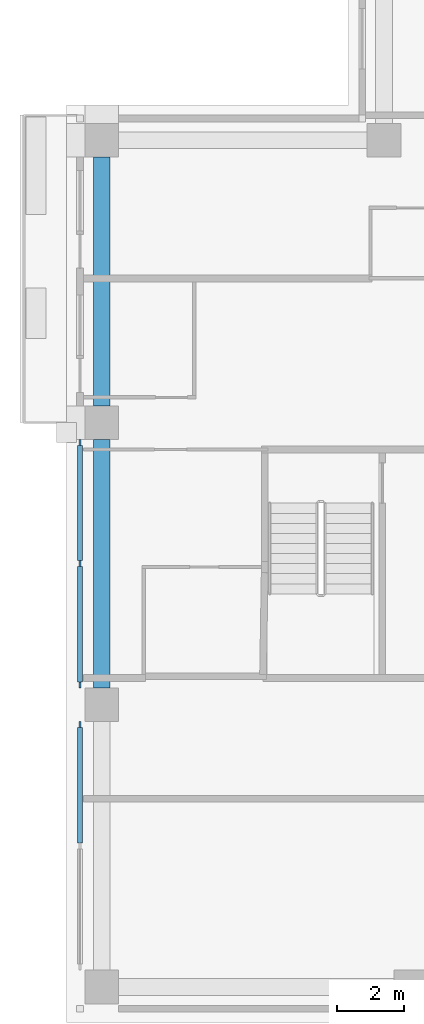
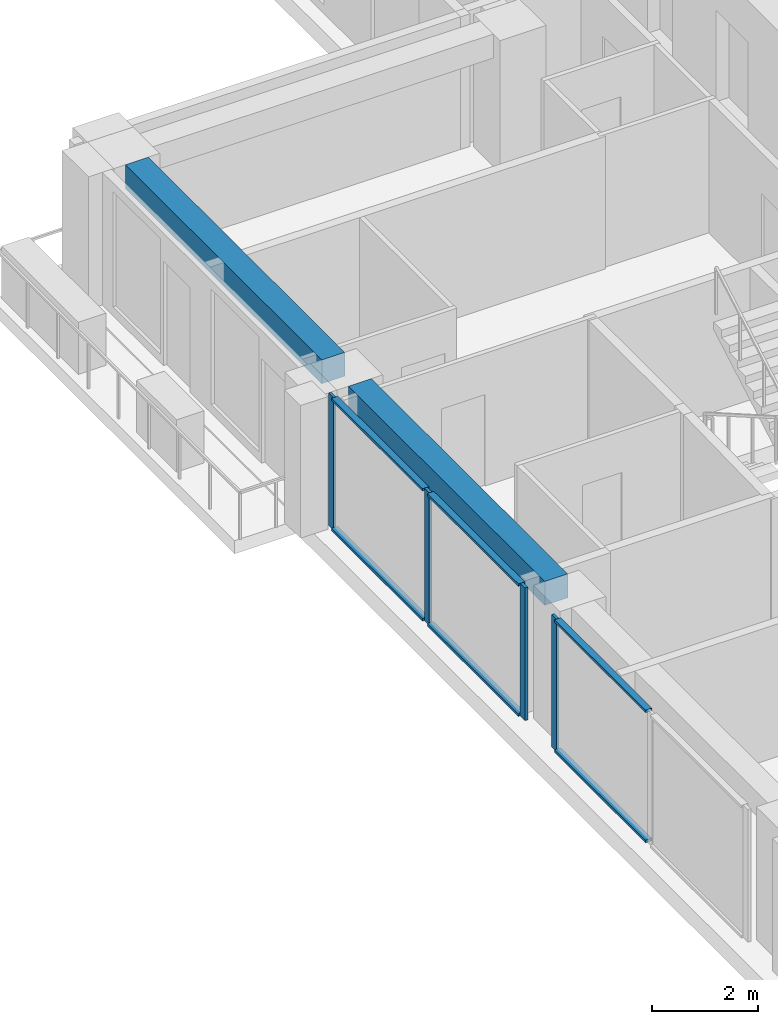
# One storey, part 4 of 16: 10 members, 2 beams, 2 elements without a shape of their own.
"""IFC4 building model written with IfcOpenShell, lengths in metres."""

from ifc_helpers import new_model, si_unit, direction, frame, origin, origin_2d, place, context, subcontext, project, spatial, rectangle, extrude, material, material_profile, profile_set, type_object, element, aggregate, save


model = new_model("IFC4")

# Units and contexts
model_context = context("Model", 3, precision=1e-05, world=origin(), true_north=direction((0.0, 1.0)))
body_context = subcontext(model_context, "Body", "Model", "MODEL_VIEW")
ifc_project = project(units=[si_unit("LENGTHUNIT", "METRE"), si_unit("AREAUNIT", "SQUARE_METRE"), si_unit("VOLUMEUNIT", "CUBIC_METRE"), si_unit("PLANEANGLEUNIT", "RADIAN"), si_unit("MASSUNIT", "GRAM", prefix="KILO")], contexts=[model_context])

# Site, building, storey
site_placement = place(None, origin())
site = spatial("IfcSite", under=ifc_project, at=site_placement, CompositionType="ELEMENT")
building_placement = place(site_placement, origin())
building = spatial("IfcBuilding", under=site, at=building_placement, Name="Vermilion Ogive Tower", CompositionType="ELEMENT")
storey_placement = place(building_placement, frame((0.0, 0.0, 179.0)))
storey = spatial("IfcBuildingStorey", under=building, at=storey_placement, Name="L46", CompositionType="ELEMENT", Elevation=179.0)

# Curtain wall, members
ifc_material_1 = material(Name="Low-iron laminated glazing in aluminium frame", Category="aluminium")
curtain_wall_type = type_object("IfcCurtainWallType", Name="Curtain wall CW7", PredefinedType="NOTDEFINED", material=ifc_material_1)
curtain_wall_1_placement = place(storey_placement, origin())
curtain_wall_1 = element("IfcCurtainWall", 1, at=curtain_wall_1_placement, inside=storey, type_object=curtain_wall_type, Name="Glazed skin W2", PredefinedType="NOTDEFINED")
ifc_material_2 = material(Name="Aluminium mullion", Category="aluminium")
ifc_material_profile_1 = material_profile(ifc_material_2, rectangle(XDim=0.06005859375, YDim=0.179931640625, at=origin_2d()), Name="AL 60x180")
ifc_profile_set_1 = profile_set([ifc_material_profile_1], Name="Aluminium mullion")
member_type_1 = type_object("IfcMemberType", Name="CW7 mullion 60x180", PredefinedType="MULLION", material=ifc_profile_set_1)
member_1_placement = place(storey_placement, frame((-25.85009765625, 3.610107421875, 0.0), z_axis=(0.0, 0.0, 1.0), x_axis=(1.0, 0.0, 0.0)))
member_1 = element("IfcMember", 2, at=member_1_placement, type_object=member_type_1, Name="CW7-W2 mullion 1", PredefinedType="MULLION", context=body_context, shape_type="SweptSolid", body=[
    extrude(rectangle(XDim=0.06005859375, YDim=0.179931640625, at=origin_2d()), origin(), (0.0, 0.0, 1.0), 3.050048828125),
])
member_2_placement = place(storey_placement, frame((-25.85009765625, 0.0, 0.0), z_axis=(0.0, 0.0, 1.0), x_axis=(1.0, 0.0, 0.0)))
member_2 = element("IfcMember", 3, at=member_2_placement, type_object=member_type_1, Name="CW7-W2 mullion 2", PredefinedType="MULLION", context=body_context, shape_type="SweptSolid", body=[
    extrude(rectangle(XDim=0.06005859375, YDim=0.179931640625, at=origin_2d()), origin(), (0.0, 0.0, 1.0), 3.050048828125),
])
member_3_placement = place(storey_placement, frame((-25.85009765625, -3.610107421875, 0.0), z_axis=(0.0, 0.0, 1.0), x_axis=(1.0, 0.0, 0.0)))
member_3 = element("IfcMember", 4, at=member_3_placement, type_object=member_type_1, Name="CW7-W2 mullion 3", PredefinedType="MULLION", context=body_context, shape_type="SweptSolid", body=[
    extrude(rectangle(XDim=0.06005859375, YDim=0.179931640625, at=origin_2d()), origin(), (0.0, 0.0, 1.0), 3.050048828125),
])

# Curtain wall, member
curtain_wall_2_placement = place(storey_placement, origin())
curtain_wall_2 = element("IfcCurtainWall", 5, at=curtain_wall_2_placement, inside=storey, type_object=curtain_wall_type, Name="Glazed skin W3", PredefinedType="NOTDEFINED")
member_4_placement = place(storey_placement, frame((-25.85009765625, -4.7900390625, 0.0), z_axis=(0.0, 0.0, 1.0), x_axis=(1.0, 0.0, 0.0)))
member_4 = element("IfcMember", 6, at=member_4_placement, type_object=member_type_1, Name="CW7-W3 mullion 1", PredefinedType="MULLION", context=body_context, shape_type="SweptSolid", body=[
    extrude(rectangle(XDim=0.06005859375, YDim=0.179931640625, at=origin_2d()), origin(), (0.0, 0.0, 1.0), 3.050048828125),
])

# Member
ifc_material_3 = material(Name="Aluminium transom", Category="aluminium")
ifc_material_profile_2 = material_profile(ifc_material_3, rectangle(XDim=0.139892578125, YDim=0.06005859375, at=origin_2d()), Name="AL 60x140")
ifc_profile_set_2 = profile_set([ifc_material_profile_2], Name="Aluminium transom")
member_type_2 = type_object("IfcMemberType", Name="CW7 transom 60x140", PredefinedType="USERDEFINED", material=ifc_profile_set_2)
member_5_placement = place(storey_placement, frame((-25.85009765625, 3.52001953125, 0.030029296875), z_axis=(0.0, -1.0, 0.0), x_axis=(1.0, 0.0, 0.0)))
member_5 = element("IfcMember", 7, at=member_5_placement, type_object=member_type_2, Name="CW7-W2 transom 1.1", ObjectType="TRANSOM", PredefinedType="USERDEFINED", context=body_context, shape_type="SweptSolid", body=[
    extrude(rectangle(XDim=0.139892578125, YDim=0.06005859375, at=origin_2d()), origin(), (0.0, 0.0, 1.0), 3.429931640625),
])

member_6_placement = place(storey_placement, frame((-25.85009765625, 3.52001953125, 3.02001953125), z_axis=(0.0, -1.0, 0.0), x_axis=(1.0, 0.0, 0.0)))
member_6 = element("IfcMember", 8, at=member_6_placement, type_object=member_type_2, Name="CW7-W2 transom 1.2", ObjectType="TRANSOM", PredefinedType="USERDEFINED", context=body_context, shape_type="SweptSolid", body=[
    extrude(rectangle(XDim=0.139892578125, YDim=0.06005859375, at=origin_2d()), origin(), (0.0, 0.0, 1.0), 3.429931640625),
])

member_7_placement = place(storey_placement, frame((-25.85009765625, -0.090087890625, 0.030029296875), z_axis=(0.0, -1.0, 0.0), x_axis=(1.0, 0.0, 0.0)))
member_7 = element("IfcMember", 9, at=member_7_placement, type_object=member_type_2, Name="CW7-W2 transom 2.1", ObjectType="TRANSOM", PredefinedType="USERDEFINED", context=body_context, shape_type="SweptSolid", body=[
    extrude(rectangle(XDim=0.139892578125, YDim=0.06005859375, at=origin_2d()), origin(), (0.0, 0.0, 1.0), 3.429931640625),
])

member_8_placement = place(storey_placement, frame((-25.85009765625, -0.090087890625, 3.02001953125), z_axis=(0.0, -1.0, 0.0), x_axis=(1.0, 0.0, 0.0)))
member_8 = element("IfcMember", 10, at=member_8_placement, type_object=member_type_2, Name="CW7-W2 transom 2.2", ObjectType="TRANSOM", PredefinedType="USERDEFINED", context=body_context, shape_type="SweptSolid", body=[
    extrude(rectangle(XDim=0.139892578125, YDim=0.06005859375, at=origin_2d()), origin(), (0.0, 0.0, 1.0), 3.429931640625),
])

aggregate(curtain_wall_1, [member_1, member_2, member_3, member_5, member_6, member_7, member_8])

member_9_placement = place(storey_placement, frame((-25.85009765625, -4.8798828125, 0.030029296875), z_axis=(0.0, -1.0, 0.0), x_axis=(1.0, 0.0, 0.0)))
member_9 = element("IfcMember", 11, at=member_9_placement, type_object=member_type_2, Name="CW7-W3 transom 1.1", ObjectType="TRANSOM", PredefinedType="USERDEFINED", context=body_context, shape_type="SweptSolid", body=[
    extrude(rectangle(XDim=0.139892578125, YDim=0.06005859375, at=origin_2d()), origin(), (0.0, 0.0, 1.0), 3.43017578125),
])

member_10_placement = place(storey_placement, frame((-25.85009765625, -4.8798828125, 3.02001953125), z_axis=(0.0, -1.0, 0.0), x_axis=(1.0, 0.0, 0.0)))
member_10 = element("IfcMember", 12, at=member_10_placement, type_object=member_type_2, Name="CW7-W3 transom 1.2", ObjectType="TRANSOM", PredefinedType="USERDEFINED", context=body_context, shape_type="SweptSolid", body=[
    extrude(rectangle(XDim=0.139892578125, YDim=0.06005859375, at=origin_2d()), origin(), (0.0, 0.0, 1.0), 3.43017578125),
])

aggregate(curtain_wall_2, [member_4, member_9, member_10])

# Beams
ifc_material_4 = material(Name="Concrete B45", Category="concrete")
ifc_material_profile_3 = material_profile(ifc_material_4, rectangle(XDim=0.5, YDim=0.550048828125, at=origin_2d()), Name="500 x 550")
ifc_profile_set_3 = profile_set([ifc_material_profile_3], Name="Concrete B45")
beam_type = type_object("IfcBeamType", Name="Edge beam 500 x 550 B45", PredefinedType="BEAM", material=ifc_profile_set_3)
beam_1_placement = place(storey_placement, frame((-25.199951171875, 12.10009765625, 2.77490234375), z_axis=(0.0, -1.0, 0.0), x_axis=(1.0, 0.0, 0.0)))
element("IfcBeam", 13, at=beam_1_placement, inside=storey, type_object=beam_type, Name="L46-EB-14", PredefinedType="BEAM", context=body_context, shape_type="SweptSolid", body=[
    extrude(rectangle(XDim=0.5, YDim=0.550048828125, at=origin_2d()), origin(), (0.0, 0.0, 1.0), 7.400146484375),
])
beam_2_placement = place(storey_placement, frame((-25.199951171875, 3.699951171875, 2.77490234375), z_axis=(0.0, -1.0, 0.0), x_axis=(1.0, 0.0, 0.0)))
element("IfcBeam", 14, at=beam_2_placement, inside=storey, type_object=beam_type, Name="L46-EB-15", PredefinedType="BEAM", context=body_context, shape_type="SweptSolid", body=[
    extrude(rectangle(XDim=0.5, YDim=0.550048828125, at=origin_2d()), origin(), (0.0, 0.0, 1.0), 7.39990234375),
])

save(model, "model.ifc")
